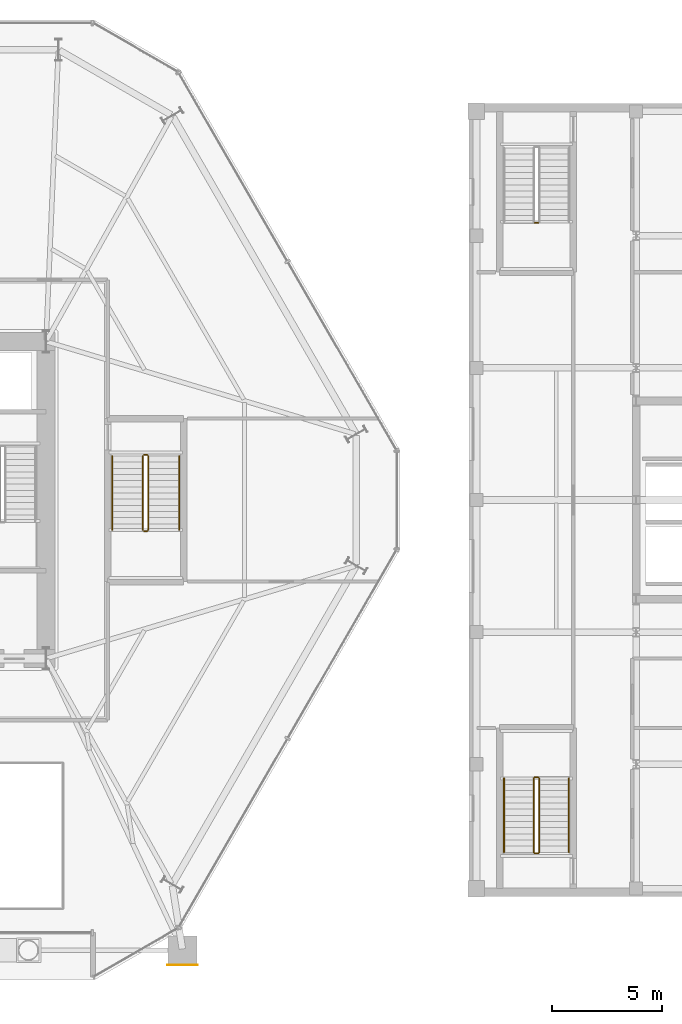
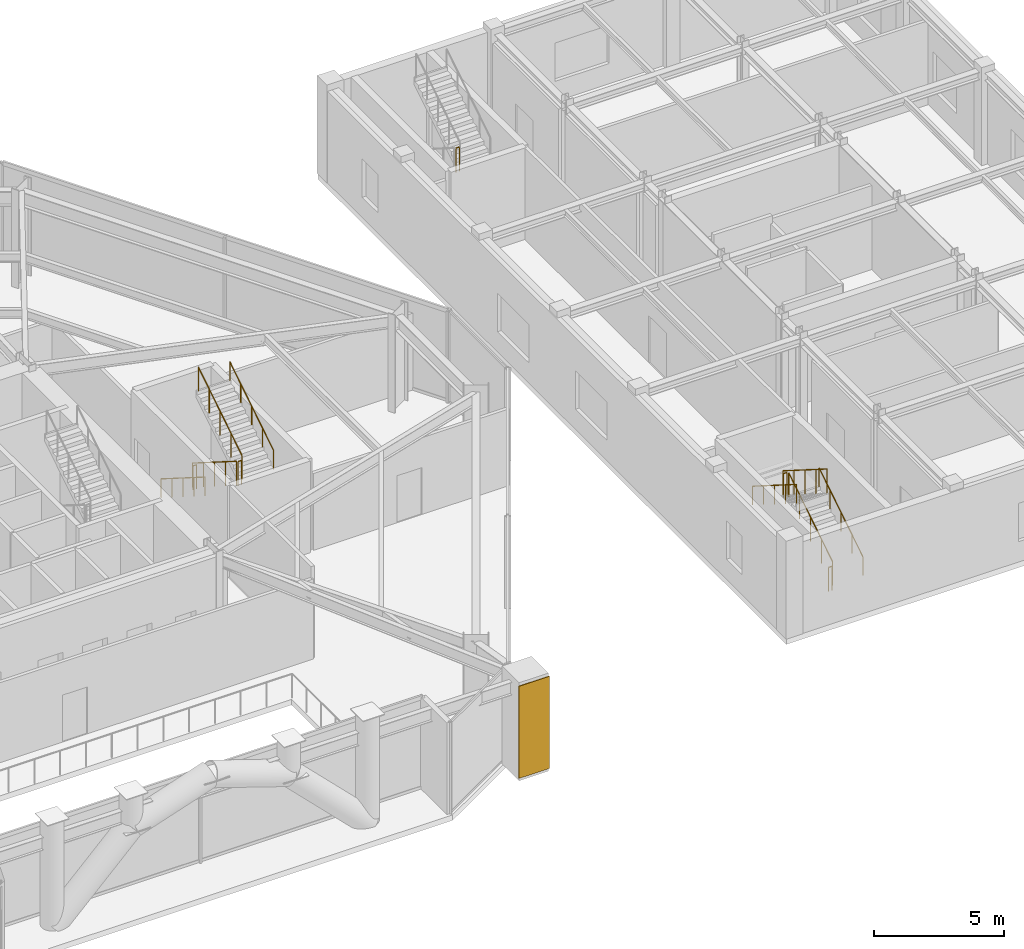
# One storey, part 22 of 23: 13 railings, 1 covering.
"""IFC4 building model written with IfcOpenShell, lengths in metres."""

from ifc_helpers import new_model, si_unit, direction, frame, origin, origin_2d, place, context, subcontext, project, spatial, rectangle, circle, extrude, material, layer, layer_set, type_object, element, save


model = new_model("IFC4")

# Units and contexts
model_context = context("Model", 3, precision=1e-05, world=origin(), true_north=direction((0.0, 1.0)))
body_context = subcontext(model_context, "Body", "Model", "MODEL_VIEW")
ifc_project = project(units=[si_unit("LENGTHUNIT", "METRE"), si_unit("AREAUNIT", "SQUARE_METRE"), si_unit("VOLUMEUNIT", "CUBIC_METRE"), si_unit("PLANEANGLEUNIT", "RADIAN"), si_unit("MASSUNIT", "GRAM", prefix="KILO")], contexts=[model_context])

# Site, building, storey
site_placement = place(None, origin())
site = spatial("IfcSite", under=ifc_project, at=site_placement, CompositionType="ELEMENT")
building_placement = place(site_placement, origin())
building = spatial("IfcBuilding", under=site, at=building_placement, Name="Kranzbogen Civic Tower", CompositionType="ELEMENT")
storey_placement = place(building_placement, frame((0.0, 0.0, 14.39990234375)))
storey = spatial("IfcBuildingStorey", under=building, at=storey_placement, Name="L03", CompositionType="ELEMENT", Elevation=14.39990234375)

# Railings
ifc_material_1 = material(Name="Steel S355", Category="steel")
railing_type_1 = type_object("IfcRailingType", Name="Internal Stair and Void Steel Guardrail 1150", PredefinedType="GUARDRAIL", material=ifc_material_1)
railing_1_placement = place(storey_placement, frame((37.199951171875, 27.0, 0.177001953125)))
element("IfcRailing", 1, at=railing_1_placement, inside=storey, type_object=railing_type_1, Name="L03 ST-P2 stair guard 1", PredefinedType="GUARDRAIL", context=body_context, shape_type="SweptSolid", body=[
    extrude(circle(Radius=0.02392578125, at=origin_2d()), frame((0.0, 0.0, 1.1259765625), z_axis=(0.0, -0.845389635667, 0.534150132366), x_axis=(1.0, 0.0, 0.0)), (0.0, 0.0, 1.0), 3.974609375),
    extrude(circle(Radius=0.02099609375, at=origin_2d()), origin(), (0.0, 0.0, 1.0), 1.101806640625),
    extrude(circle(Radius=0.02099609375, at=origin_2d()), frame((0.0, -0.840087890625, 0.53076171875)), (0.0, 0.0, 1.0), 1.101806640625),
    extrude(circle(Radius=0.02099609375, at=origin_2d()), frame((0.0, -1.68017578125, 1.0615234375)), (0.0, 0.0, 1.0), 1.101806640625),
    extrude(circle(Radius=0.02099609375, at=origin_2d()), frame((0.0, -2.52001953125, 1.59228515625)), (0.0, 0.0, 1.0), 1.101806640625),
    extrude(circle(Radius=0.02099609375, at=origin_2d()), frame((0.0, -3.360107421875, 2.123046875)), (0.0, 0.0, 1.0), 1.101806640625),
])
railing_2_placement = place(storey_placement, frame((37.25, 23.590087890625, 2.300048828125)))
element("IfcRailing", 2, at=railing_2_placement, inside=storey, type_object=railing_type_1, Name="L03 ST-P2 stair guard 2", PredefinedType="GUARDRAIL", context=body_context, shape_type="SweptSolid", body=[
    extrude(circle(Radius=0.02392578125, at=origin_2d()), frame((0.0, 0.0, 1.1259765625), z_axis=(1.0, 0.0, 0.0), x_axis=(0.0, 1.0, 0.0)), (0.0, 0.0, 1.0), 0.14990234375),
    extrude(circle(Radius=0.02099609375, at=origin_2d()), origin(), (0.0, 0.0, 1.0), 1.101806640625),
    extrude(circle(Radius=0.02099609375, at=origin_2d()), frame((0.14990234375, 0.0, 0.0)), (0.0, 0.0, 1.0), 1.101806640625),
])
railing_3_placement = place(storey_placement, frame((37.449951171875, 23.639892578125, 2.47705078125)))
element("IfcRailing", 3, at=railing_3_placement, inside=storey, type_object=railing_type_1, Name="L03 ST-P2 stair guard 3", PredefinedType="GUARDRAIL", context=body_context, shape_type="SweptSolid", body=[
    extrude(circle(Radius=0.02392578125, at=origin_2d()), frame((0.0, 0.0, 1.1259765625), z_axis=(0.0, 0.845389635667, 0.534150132366), x_axis=(-1.0, 0.0, 0.0)), (0.0, 0.0, 1.0), 3.974609375),
    extrude(circle(Radius=0.02099609375, at=origin_2d()), origin(), (0.0, 0.0, 1.0), 1.101806640625),
    extrude(circle(Radius=0.02099609375, at=origin_2d()), frame((0.0, 0.840087890625, 0.53076171875)), (0.0, 0.0, 1.0), 1.101806640625),
    extrude(circle(Radius=0.02099609375, at=origin_2d()), frame((0.0, 1.68017578125, 1.0615234375)), (0.0, 0.0, 1.0), 1.101806640625),
    extrude(circle(Radius=0.02099609375, at=origin_2d()), frame((0.0, 2.52001953125, 1.59228515625)), (0.0, 0.0, 1.0), 1.101806640625),
    extrude(circle(Radius=0.02099609375, at=origin_2d()), frame((0.0, 3.360107421875, 2.123046875)), (0.0, 0.0, 1.0), 1.101806640625),
])
railing_4_placement = place(storey_placement, frame((37.25, 27.050048828125, 0.0)))
element("IfcRailing", 4, at=railing_4_placement, inside=storey, type_object=railing_type_1, Name="L03 ST-P2 stair guard 4", PredefinedType="GUARDRAIL", context=body_context, shape_type="SweptSolid", body=[
    extrude(circle(Radius=0.02392578125, at=origin_2d()), frame((0.0, 0.0, 1.1259765625), z_axis=(1.0, 0.0, 0.0), x_axis=(0.0, 1.0, 0.0)), (0.0, 0.0, 1.0), 0.14990234375),
    extrude(circle(Radius=0.02099609375, at=origin_2d()), origin(), (0.0, 0.0, 1.0), 1.101806640625),
    extrude(circle(Radius=0.02099609375, at=origin_2d()), frame((0.14990234375, 0.0, 0.0)), (0.0, 0.0, 1.0), 1.101806640625),
])
railing_5_placement = place(storey_placement, frame((55.199951171875, 9.0, 0.177001953125)))
element("IfcRailing", 5, at=railing_5_placement, inside=storey, type_object=railing_type_1, Name="L03 ST-H1 stair guard 1", PredefinedType="GUARDRAIL", context=body_context, shape_type="SweptSolid", body=[
    extrude(circle(Radius=0.02392578125, at=origin_2d()), frame((0.0, 0.0, 1.1259765625), z_axis=(0.0, 0.845389635667, 0.534150132366), x_axis=(-1.0, 0.0, 0.0)), (0.0, 0.0, 1.0), 3.974609375),
    extrude(circle(Radius=0.02099609375, at=origin_2d()), origin(), (0.0, 0.0, 1.0), 1.101806640625),
    extrude(circle(Radius=0.02099609375, at=origin_2d()), frame((0.0, 0.840087890625, 0.53076171875)), (0.0, 0.0, 1.0), 1.101806640625),
    extrude(circle(Radius=0.02099609375, at=origin_2d()), frame((0.0, 1.68017578125, 1.0615234375)), (0.0, 0.0, 1.0), 1.101806640625),
    extrude(circle(Radius=0.02099609375, at=origin_2d()), frame((0.0, 2.52001953125, 1.59228515625)), (0.0, 0.0, 1.0), 1.101806640625),
    extrude(circle(Radius=0.02099609375, at=origin_2d()), frame((0.0, 3.360107421875, 2.123046875)), (0.0, 0.0, 1.0), 1.101806640625),
])
railing_6_placement = place(storey_placement, frame((55.14990234375, 12.409912109375, 2.300048828125)))
element("IfcRailing", 6, at=railing_6_placement, inside=storey, type_object=railing_type_1, Name="L03 ST-H1 stair guard 2", PredefinedType="GUARDRAIL", context=body_context, shape_type="SweptSolid", body=[
    extrude(circle(Radius=0.02392578125, at=origin_2d()), frame((0.0, 0.0, 1.1259765625), z_axis=(-1.0, 0.0, 0.0), x_axis=(0.0, -1.0, 0.0)), (0.0, 0.0, 1.0), 0.14990234375),
    extrude(circle(Radius=0.02099609375, at=origin_2d()), origin(), (0.0, 0.0, 1.0), 1.101806640625),
    extrude(circle(Radius=0.02099609375, at=origin_2d()), frame((-0.14990234375, 0.0, 0.0)), (0.0, 0.0, 1.0), 1.101806640625),
])
railing_7_placement = place(storey_placement, frame((54.949951171875, 12.360107421875, 2.47705078125)))
element("IfcRailing", 7, at=railing_7_placement, inside=storey, type_object=railing_type_1, Name="L03 ST-H1 stair guard 3", PredefinedType="GUARDRAIL", context=body_context, shape_type="SweptSolid", body=[
    extrude(circle(Radius=0.02392578125, at=origin_2d()), frame((0.0, 0.0, 1.1259765625), z_axis=(0.0, -0.845389635667, 0.534150132366), x_axis=(1.0, 0.0, 0.0)), (0.0, 0.0, 1.0), 3.974609375),
    extrude(circle(Radius=0.02099609375, at=origin_2d()), origin(), (0.0, 0.0, 1.0), 1.101806640625),
    extrude(circle(Radius=0.02099609375, at=origin_2d()), frame((0.0, -0.840087890625, 0.53076171875)), (0.0, 0.0, 1.0), 1.101806640625),
    extrude(circle(Radius=0.02099609375, at=origin_2d()), frame((0.0, -1.68017578125, 1.0615234375)), (0.0, 0.0, 1.0), 1.101806640625),
    extrude(circle(Radius=0.02099609375, at=origin_2d()), frame((0.0, -2.52001953125, 1.59228515625)), (0.0, 0.0, 1.0), 1.101806640625),
    extrude(circle(Radius=0.02099609375, at=origin_2d()), frame((0.0, -3.360107421875, 2.123046875)), (0.0, 0.0, 1.0), 1.101806640625),
])
railing_8_placement = place(storey_placement, frame((55.14990234375, 8.949951171875, 0.0)))
element("IfcRailing", 8, at=railing_8_placement, inside=storey, type_object=railing_type_1, Name="L03 ST-H1 stair guard 4", PredefinedType="GUARDRAIL", context=body_context, shape_type="SweptSolid", body=[
    extrude(circle(Radius=0.02392578125, at=origin_2d()), frame((0.0, 0.0, 1.1259765625), z_axis=(-1.0, 0.0, 0.0), x_axis=(0.0, -1.0, 0.0)), (0.0, 0.0, 1.0), 0.14990234375),
    extrude(circle(Radius=0.02099609375, at=origin_2d()), origin(), (0.0, 0.0, 1.0), 1.101806640625),
    extrude(circle(Radius=0.02099609375, at=origin_2d()), frame((-0.14990234375, 0.0, 0.0)), (0.0, 0.0, 1.0), 1.101806640625),
])
railing_9_placement = place(storey_placement, frame((55.0, 37.590087890625, 2.300048828125)))
element("IfcRailing", 9, at=railing_9_placement, inside=storey, type_object=railing_type_1, Name="L03 ST-H2 stair guard 2", PredefinedType="GUARDRAIL", context=body_context, shape_type="SweptSolid", body=[
    extrude(circle(Radius=0.02392578125, at=origin_2d()), frame((0.0, 0.0, 1.1259765625), z_axis=(1.0, 0.0, 0.0), x_axis=(0.0, 1.0, 0.0)), (0.0, 0.0, 1.0), 0.14990234375),
    extrude(circle(Radius=0.02099609375, at=origin_2d()), origin(), (0.0, 0.0, 1.0), 1.101806640625),
    extrude(circle(Radius=0.02099609375, at=origin_2d()), frame((0.14990234375, 0.0, 0.0)), (0.0, 0.0, 1.0), 1.101806640625),
])

# Covering
ifc_material_2 = material(Name="Anodised Bronze Aluminium", Category="aluminium")
ifc_layer = layer(ifc_material_2, 0.034912109375, Name="Anodised Bronze Aluminium")
ifc_layer_set = layer_set([ifc_layer], Name="Anodised Bronze Aluminium")
covering_type = type_object("IfcCoveringType", Name="Portal Arch Pier Anodised Metal Cladding 35 mm", PredefinedType="CLADDING", material=ifc_layer_set)
covering_placement = place(storey_placement, frame((39.0, 3.882080078125, 0.14013671875), z_axis=(0.0, 0.0, 1.0), x_axis=(1.0, 0.0, 0.0)))
element("IfcCovering", 10, at=covering_placement, inside=storey, type_object=covering_type, Name="L03 portal arch pier 2 cladding", PredefinedType="CLADDING", context=body_context, shape_type="SweptSolid", body=[
    extrude(rectangle(XDim=1.3701171875, YDim=0.034912109375, at=origin_2d()), origin(), (0.0, 0.0, 1.0), 4.320068359375),
])

# Railings
ifc_material_3 = material(Name="Pale Anodised Aluminium", Category="aluminium")
railing_type_2 = type_object("IfcRailingType", Name="Tubular Stainless Stair Wall Handrail 900", PredefinedType="HANDRAIL", material=ifc_material_3)
railing_10_placement = place(storey_placement, frame((35.800048828125, 27.0, 0.177001953125)))
element("IfcRailing", 11, at=railing_10_placement, inside=storey, type_object=railing_type_2, Name="L03 ST-P2 stair handrail 1", PredefinedType="HANDRAIL", context=body_context, shape_type="SweptSolid", body=[
    extrude(circle(Radius=0.02392578125, at=origin_2d()), frame((0.0, 0.0, 0.8759765625), z_axis=(0.0, -0.845389635667, 0.534150132366), x_axis=(1.0, 0.0, 0.0)), (0.0, 0.0, 1.0), 3.974609375),
    extrude(circle(Radius=0.02099609375, at=origin_2d()), origin(), (0.0, 0.0, 1.0), 0.851806640625),
    extrude(circle(Radius=0.02099609375, at=origin_2d()), frame((0.0, -0.840087890625, 0.53076171875)), (0.0, 0.0, 1.0), 0.851806640625),
    extrude(circle(Radius=0.02099609375, at=origin_2d()), frame((0.0, -1.68017578125, 1.0615234375)), (0.0, 0.0, 1.0), 0.851806640625),
    extrude(circle(Radius=0.02099609375, at=origin_2d()), frame((0.0, -2.52001953125, 1.59228515625)), (0.0, 0.0, 1.0), 0.851806640625),
    extrude(circle(Radius=0.02099609375, at=origin_2d()), frame((0.0, -3.360107421875, 2.123046875)), (0.0, 0.0, 1.0), 0.851806640625),
])
for number, where, name in (
    (12, (38.85009765625, 23.639892578125, 2.47705078125), "L03 ST-P2 stair handrail 2"),
    (13, (56.550048828125, 9.0, 0.177001953125), "L03 ST-H1 stair handrail 1"),
):
    element("IfcRailing", number, at=place(storey_placement, frame(where)), inside=storey, type_object=railing_type_2, Name=name, PredefinedType="HANDRAIL", context=body_context, shape_type="SweptSolid", body=[
        extrude(circle(Radius=0.02392578125, at=origin_2d()), frame((0.0, 0.0, 0.8759765625), z_axis=(0.0, 0.845389635667, 0.534150132366), x_axis=(-1.0, 0.0, 0.0)), (0.0, 0.0, 1.0), 3.974609375),
        extrude(circle(Radius=0.02099609375, at=origin_2d()), origin(), (0.0, 0.0, 1.0), 0.851806640625),
        extrude(circle(Radius=0.02099609375, at=origin_2d()), frame((0.0, 0.840087890625, 0.53076171875)), (0.0, 0.0, 1.0), 0.851806640625),
        extrude(circle(Radius=0.02099609375, at=origin_2d()), frame((0.0, 1.68017578125, 1.0615234375)), (0.0, 0.0, 1.0), 0.851806640625),
        extrude(circle(Radius=0.02099609375, at=origin_2d()), frame((0.0, 2.52001953125, 1.59228515625)), (0.0, 0.0, 1.0), 0.851806640625),
        extrude(circle(Radius=0.02099609375, at=origin_2d()), frame((0.0, 3.360107421875, 2.123046875)), (0.0, 0.0, 1.0), 0.851806640625),
    ])
railing_11_placement = place(storey_placement, frame((53.60009765625, 12.360107421875, 2.47705078125)))
element("IfcRailing", 14, at=railing_11_placement, inside=storey, type_object=railing_type_2, Name="L03 ST-H1 stair handrail 2", PredefinedType="HANDRAIL", context=body_context, shape_type="SweptSolid", body=[
    extrude(circle(Radius=0.02392578125, at=origin_2d()), frame((0.0, 0.0, 0.8759765625), z_axis=(0.0, -0.845389635667, 0.534150132366), x_axis=(1.0, 0.0, 0.0)), (0.0, 0.0, 1.0), 3.974609375),
    extrude(circle(Radius=0.02099609375, at=origin_2d()), origin(), (0.0, 0.0, 1.0), 0.851806640625),
    extrude(circle(Radius=0.02099609375, at=origin_2d()), frame((0.0, -0.840087890625, 0.53076171875)), (0.0, 0.0, 1.0), 0.851806640625),
    extrude(circle(Radius=0.02099609375, at=origin_2d()), frame((0.0, -1.68017578125, 1.0615234375)), (0.0, 0.0, 1.0), 0.851806640625),
    extrude(circle(Radius=0.02099609375, at=origin_2d()), frame((0.0, -2.52001953125, 1.59228515625)), (0.0, 0.0, 1.0), 0.851806640625),
    extrude(circle(Radius=0.02099609375, at=origin_2d()), frame((0.0, -3.360107421875, 2.123046875)), (0.0, 0.0, 1.0), 0.851806640625),
])

save(model, "model.ifc")
